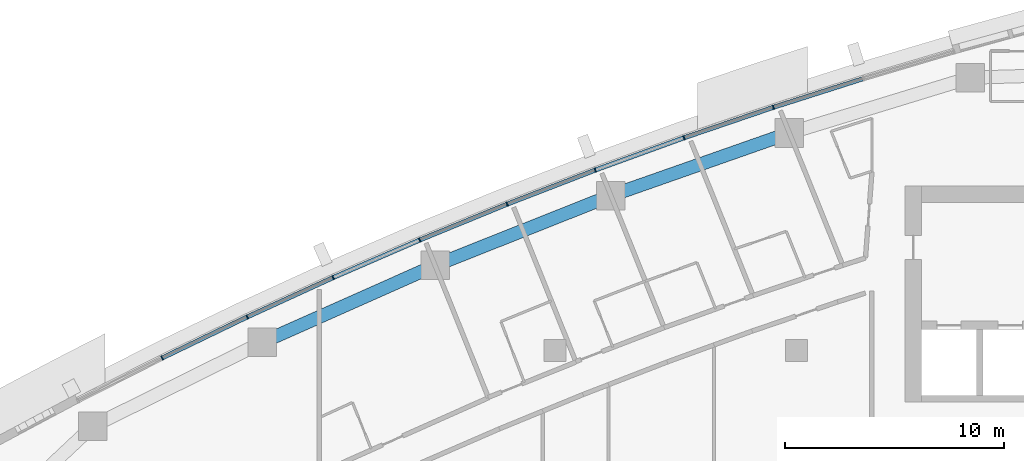
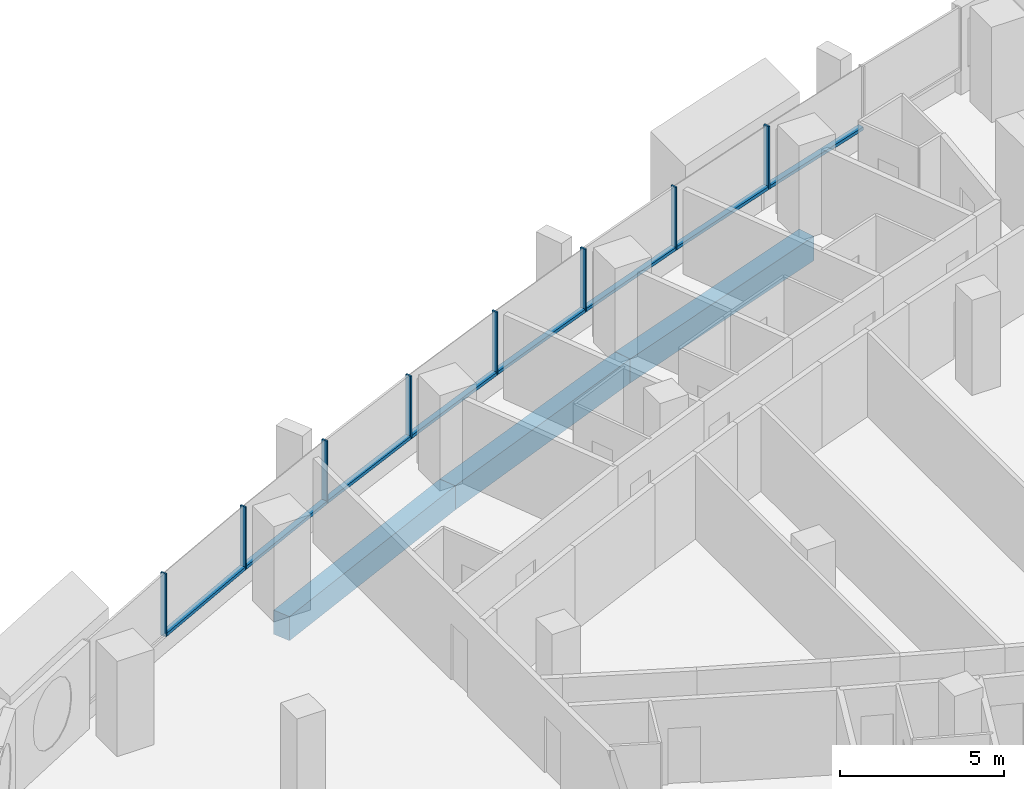
# One storey, part 6 of 17: 16 members, 3 beams, 5 elements without a shape of their own.
"""IFC4 building model written with IfcOpenShell, lengths in metres."""

from ifc_helpers import new_model, si_unit, direction, frame, origin, origin_2d, place, context, subcontext, project, spatial, rectangle, extrude, material, layer, layer_set, material_profile, profile_set, type_object, element, aggregate, save


model = new_model("IFC4")

# Units and contexts
model_context = context("Model", 3, precision=1e-05, world=origin(), true_north=direction((0.0, 1.0)))
body_context = subcontext(model_context, "Body", "Model", "MODEL_VIEW")
ifc_project = project(units=[si_unit("LENGTHUNIT", "METRE"), si_unit("AREAUNIT", "SQUARE_METRE"), si_unit("VOLUMEUNIT", "CUBIC_METRE"), si_unit("PLANEANGLEUNIT", "RADIAN"), si_unit("MASSUNIT", "GRAM", prefix="KILO")], contexts=[model_context])

# Site, building, storey
site_placement = place(None, origin())
site = spatial("IfcSite", under=ifc_project, at=site_placement, CompositionType="ELEMENT")
building_placement = place(site_placement, origin())
building = spatial("IfcBuilding", under=site, at=building_placement, Name="Ostrand Prow Hotel Tower", CompositionType="ELEMENT")
storey_placement = place(building_placement, frame((0.0, 0.0, 207.449951171875)))
storey = spatial("IfcBuildingStorey", under=building, at=storey_placement, Name="L52", CompositionType="ELEMENT", Elevation=207.449951171875)

# Beams
ifc_material_1 = material(Name="Concrete C60/75", Category="concrete")
ifc_material_profile_1 = material_profile(ifc_material_1, rectangle(XDim=0.60009765625, YDim=0.89990234375, at=origin_2d()), Name="RC 600x900")
ifc_profile_set_1 = profile_set([ifc_material_profile_1], Name="Concrete C60/75")
beam_type = type_object("IfcBeamType", Name="Edge beam 600x900 C60/75", PredefinedType="SPANDREL", material=ifc_profile_set_1)
for number, where, z_axis, x_axis, name in (
    (1, (44.6826171875, 18.91552734375, -0.75), (-0.943593618681, -0.33110584831, 0.0), (0.33110584831, -0.943593618681, 0.0), "Edge beam N2-N3"),
    (2, (36.547119140625, 16.060791015625, -0.75), (-0.929376173753, -0.36913402398, 0.0), (0.36913402398, -0.929376173753, 0.0), "Edge beam N3-N4"),
    (3, (28.5341796875, 12.878173828125, -0.75), (-0.91364332073, -0.406516767779, 0.0), (0.406516767779, -0.91364332073, 0.0), "Edge beam N4-N5"),
):
    element("IfcBeam", number, at=place(storey_placement, frame(where, z_axis=z_axis, x_axis=x_axis)), inside=storey, type_object=beam_type, Name=name, PredefinedType="SPANDREL", context=body_context, shape_type="SweptSolid", body=[
        extrude(rectangle(XDim=0.60009765625, YDim=0.89990234375, at=origin_2d()), origin(), (0.0, 0.0, 1.0), 8.621826171875),
    ])

# Curtain wall, member
ifc_material_2 = material(Name="Insulated glass in bronze anodised frame", Category="glass")
ifc_layer = layer(ifc_material_2, 0.199951171875)
ifc_layer_set = layer_set([ifc_layer], Name="Insulated glass in bronze anodised frame")
curtain_wall_type = type_object("IfcCurtainWallType", Name="Strip curtain wall, fritted glass over bronze spandrel", PredefinedType="NOTDEFINED", material=ifc_layer_set)
curtain_wall_1_placement = place(storey_placement, origin())
curtain_wall_1 = element("IfcCurtainWall", 4, at=curtain_wall_1_placement, inside=storey, type_object=curtain_wall_type, Name="CW1 run CWN1", PredefinedType="NOTDEFINED")
ifc_material_3 = material(Name="Bronze anodised aluminium", Category="aluminium")
ifc_material_profile_2 = material_profile(ifc_material_3, rectangle(XDim=0.199951171875, YDim=0.06005859375, at=origin_2d()), Name="Mullion 60x200 bronze anodised aluminium")
ifc_profile_set_2 = profile_set([ifc_material_profile_2], Name="Bronze anodised aluminium")
member_type_1 = type_object("IfcMemberType", Name="Mullion 60x200 bronze anodised aluminium", PredefinedType="MULLION", material=ifc_profile_set_2)
member_1_placement = place(storey_placement, frame((43.95361328125, 20.086669921875, 0.900146484375), z_axis=(0.0, 0.0, 1.0), x_axis=(0.303786970008, -0.952739983864, 0.0)))
member_1 = element("IfcMember", 5, at=member_1_placement, type_object=member_type_1, Name="CW1 mullion 3", PredefinedType="MULLION", context=body_context, shape_type="SweptSolid", body=[
    extrude(rectangle(XDim=0.199951171875, YDim=0.06005859375, at=origin_2d()), origin(), (0.0, 0.0, 1.0), 2.349853515625),
])

# Curtain wall, members
curtain_wall_2_placement = place(storey_placement, origin())
curtain_wall_2 = element("IfcCurtainWall", 6, at=curtain_wall_2_placement, inside=storey, type_object=curtain_wall_type, Name="CW1 run CWN2", PredefinedType="NOTDEFINED")
member_2_placement = place(storey_placement, frame((39.87939453125, 18.696533203125, 0.900146484375), z_axis=(0.0, 0.0, 1.0), x_axis=(0.341897134919, -0.939737383067, 0.0)))
member_2 = element("IfcMember", 7, at=member_2_placement, type_object=member_type_1, Name="CW1 mullion 2", PredefinedType="MULLION", context=body_context, shape_type="SweptSolid", body=[
    extrude(rectangle(XDim=0.199951171875, YDim=0.06005859375, at=origin_2d()), origin(), (0.0, 0.0, 1.0), 2.349853515625),
])
member_3_placement = place(storey_placement, frame((35.833740234375, 17.224609375, 0.900146484375), z_axis=(0.0, 0.0, 1.0), x_axis=(0.341897134919, -0.939737383067, 0.0)))
member_3 = element("IfcMember", 8, at=member_3_placement, type_object=member_type_1, Name="CW1 mullion 3", PredefinedType="MULLION", context=body_context, shape_type="SweptSolid", body=[
    extrude(rectangle(XDim=0.199951171875, YDim=0.06005859375, at=origin_2d()), origin(), (0.0, 0.0, 1.0), 2.349853515625),
])

curtain_wall_3_placement = place(storey_placement, origin())
curtain_wall_3 = element("IfcCurtainWall", 9, at=curtain_wall_3_placement, inside=storey, type_object=curtain_wall_type, Name="CW1 run CWN3", PredefinedType="NOTDEFINED")
member_4_placement = place(storey_placement, frame((31.818603515625, 15.671630859375, 0.900146484375), z_axis=(0.0, 0.0, 1.0), x_axis=(0.379452929936, -0.925211042932, 0.0)))
member_4 = element("IfcMember", 10, at=member_4_placement, type_object=member_type_1, Name="CW1 mullion 2", PredefinedType="MULLION", context=body_context, shape_type="SweptSolid", body=[
    extrude(rectangle(XDim=0.199951171875, YDim=0.06005859375, at=origin_2d()), origin(), (0.0, 0.0, 1.0), 2.349853515625),
])
member_5_placement = place(storey_placement, frame((27.83544921875, 14.0380859375, 0.900146484375), z_axis=(0.0, 0.0, 1.0), x_axis=(0.379452929936, -0.925211042932, 0.0)))
member_5 = element("IfcMember", 11, at=member_5_placement, type_object=member_type_1, Name="CW1 mullion 3", PredefinedType="MULLION", context=body_context, shape_type="SweptSolid", body=[
    extrude(rectangle(XDim=0.199951171875, YDim=0.06005859375, at=origin_2d()), origin(), (0.0, 0.0, 1.0), 2.349853515625),
])

curtain_wall_4_placement = place(storey_placement, origin())
curtain_wall_4 = element("IfcCurtainWall", 12, at=curtain_wall_4_placement, inside=storey, type_object=curtain_wall_type, Name="CW1 run CWN4", PredefinedType="NOTDEFINED")
member_6_placement = place(storey_placement, frame((23.885986328125, 12.32470703125, 0.900146484375), z_axis=(0.0, 0.0, 1.0), x_axis=(0.416393460127, -0.909184517226, 0.0)))
member_6 = element("IfcMember", 13, at=member_6_placement, type_object=member_type_1, Name="CW1 mullion 2", PredefinedType="MULLION", context=body_context, shape_type="SweptSolid", body=[
    extrude(rectangle(XDim=0.199951171875, YDim=0.06005859375, at=origin_2d()), origin(), (0.0, 0.0, 1.0), 2.349853515625),
])
member_7_placement = place(storey_placement, frame((19.971923828125, 10.531982421875, 0.900146484375), z_axis=(0.0, 0.0, 1.0), x_axis=(0.416393460127, -0.909184517226, 0.0)))
member_7 = element("IfcMember", 14, at=member_7_placement, type_object=member_type_1, Name="CW1 mullion 3", PredefinedType="MULLION", context=body_context, shape_type="SweptSolid", body=[
    extrude(rectangle(XDim=0.199951171875, YDim=0.06005859375, at=origin_2d()), origin(), (0.0, 0.0, 1.0), 2.349853515625),
])

# Curtain wall, member
curtain_wall_5_placement = place(storey_placement, origin())
curtain_wall_5 = element("IfcCurtainWall", 15, at=curtain_wall_5_placement, inside=storey, type_object=curtain_wall_type, Name="CW1 run CWN5", PredefinedType="NOTDEFINED")
member_8_placement = place(storey_placement, frame((16.0947265625, 8.660888671875, 0.900146484375), z_axis=(0.0, 0.0, 1.0), x_axis=(0.452658828186, -0.891683792196, 0.0)))
member_8 = element("IfcMember", 16, at=member_8_placement, type_object=member_type_1, Name="CW1 mullion 2", PredefinedType="MULLION", context=body_context, shape_type="SweptSolid", body=[
    extrude(rectangle(XDim=0.199951171875, YDim=0.06005859375, at=origin_2d()), origin(), (0.0, 0.0, 1.0), 2.349853515625),
])

# Member
ifc_material_4 = material(Name="Bronze anodised aluminium", Category="aluminium")
ifc_material_profile_3 = material_profile(ifc_material_4, rectangle(XDim=0.199951171875, YDim=0.1201171875, at=origin_2d()), Name="Transom 120x200 bronze anodised aluminium")
ifc_profile_set_3 = profile_set([ifc_material_profile_3], Name="Bronze anodised aluminium")
member_type_2 = type_object("IfcMemberType", Name="Transom 120x200 bronze anodised aluminium", PredefinedType="USERDEFINED", material=ifc_profile_set_3)
member_9_placement = place(storey_placement, frame((48.026611328125, 21.385498046875, 0.9599609375), z_axis=(-0.952737512605, -0.303794720289, 0.0), x_axis=(0.303794720289, -0.952737512605, 0.0)))
member_9 = element("IfcMember", 17, at=member_9_placement, type_object=member_type_2, Name="CW1 transom 2.1", ObjectType="TRANSOM", PredefinedType="USERDEFINED", context=body_context, shape_type="SweptSolid", body=[
    extrude(rectangle(XDim=0.199951171875, YDim=0.1201171875, at=origin_2d()), origin(), (0.0, 0.0, 1.0), 4.244873046875),
])

aggregate(curtain_wall_1, [member_1, member_9])

member_10_placement = place(storey_placement, frame((43.92529296875, 20.0771484375, 0.9599609375), z_axis=(-0.946422327772, -0.322931536852, 0.0), x_axis=(0.322931536852, -0.946422327772, 0.0)))
member_10 = element("IfcMember", 18, at=member_10_placement, type_object=member_type_2, Name="CW1 transom 1.1", ObjectType="TRANSOM", PredefinedType="USERDEFINED", context=body_context, shape_type="SweptSolid", body=[
    extrude(rectangle(XDim=0.199951171875, YDim=0.1201171875, at=origin_2d()), origin(), (0.0, 0.0, 1.0), 4.2451171875),
])

member_11_placement = place(storey_placement, frame((39.85107421875, 18.686279296875, 0.9599609375), z_axis=(-0.939753116272, -0.341853887584, 0.0), x_axis=(0.341853887584, -0.939753116272, 0.0)))
member_11 = element("IfcMember", 19, at=member_11_placement, type_object=member_type_2, Name="CW1 transom 2.1", ObjectType="TRANSOM", PredefinedType="USERDEFINED", context=body_context, shape_type="SweptSolid", body=[
    extrude(rectangle(XDim=0.199951171875, YDim=0.1201171875, at=origin_2d()), origin(), (0.0, 0.0, 1.0), 4.2451171875),
])

aggregate(curtain_wall_2, [member_2, member_3, member_10, member_11])

member_12_placement = place(storey_placement, frame((35.8056640625, 17.2138671875, 0.9599609375), z_axis=(-0.932675482501, -0.360716570651, 0.0), x_axis=(0.360716570651, -0.932675482501, 0.0)))
member_12 = element("IfcMember", 20, at=member_12_placement, type_object=member_type_2, Name="CW1 transom 1.1", ObjectType="TRANSOM", PredefinedType="USERDEFINED", context=body_context, shape_type="SweptSolid", body=[
    extrude(rectangle(XDim=0.199951171875, YDim=0.1201171875, at=origin_2d()), origin(), (0.0, 0.0, 1.0), 4.2451171875),
])

member_13_placement = place(storey_placement, frame((31.790771484375, 15.660400390625, 0.9599609375), z_axis=(-0.925213143858, -0.379447807258, 0.0), x_axis=(0.379447807258, -0.925213143858, 0.0)))
member_13 = element("IfcMember", 21, at=member_13_placement, type_object=member_type_2, Name="CW1 transom 2.1", ObjectType="TRANSOM", PredefinedType="USERDEFINED", context=body_context, shape_type="SweptSolid", body=[
    extrude(rectangle(XDim=0.199951171875, YDim=0.1201171875, at=origin_2d()), origin(), (0.0, 0.0, 1.0), 4.2451171875),
])

aggregate(curtain_wall_3, [member_4, member_5, member_12, member_13])

member_14_placement = place(storey_placement, frame((27.807861328125, 14.026123046875, 0.9599609375), z_axis=(-0.917389785482, -0.397989926371, 0.0), x_axis=(0.397989926371, -0.917389785482, 0.0)))
member_14 = element("IfcMember", 22, at=member_14_placement, type_object=member_type_2, Name="CW1 transom 1.1", ObjectType="TRANSOM", PredefinedType="USERDEFINED", context=body_context, shape_type="SweptSolid", body=[
    extrude(rectangle(XDim=0.199951171875, YDim=0.1201171875, at=origin_2d()), origin(), (0.0, 0.0, 1.0), 4.244873046875),
])

member_15_placement = place(storey_placement, frame((23.858642578125, 12.312255859375, 0.9599609375), z_axis=(-0.909159196143, -0.416448743628, 0.0), x_axis=(0.416448743628, -0.909159196143, 0.0)))
member_15 = element("IfcMember", 23, at=member_15_placement, type_object=member_type_2, Name="CW1 transom 2.1", ObjectType="TRANSOM", PredefinedType="USERDEFINED", context=body_context, shape_type="SweptSolid", body=[
    extrude(rectangle(XDim=0.199951171875, YDim=0.1201171875, at=origin_2d()), origin(), (0.0, 0.0, 1.0), 4.244873046875),
])

aggregate(curtain_wall_4, [member_6, member_7, member_14, member_15])

member_16_placement = place(storey_placement, frame((19.94482421875, 10.51904296875, 0.9599609375), z_axis=(-0.900619174345, -0.434609137965, 0.0), x_axis=(0.434609137965, -0.900619174345, 0.0)))
member_16 = element("IfcMember", 24, at=member_16_placement, type_object=member_type_2, Name="CW1 transom 1.1", ObjectType="TRANSOM", PredefinedType="USERDEFINED", context=body_context, shape_type="SweptSolid", body=[
    extrude(rectangle(XDim=0.199951171875, YDim=0.1201171875, at=origin_2d()), origin(), (0.0, 0.0, 1.0), 4.2451171875),
])

aggregate(curtain_wall_5, [member_8, member_16])

save(model, "model.ifc")
